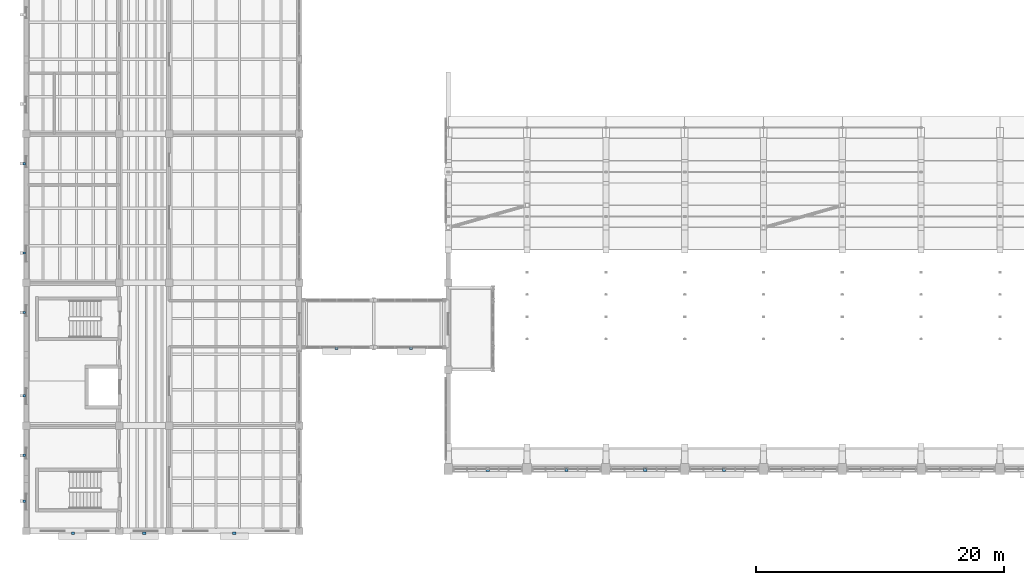
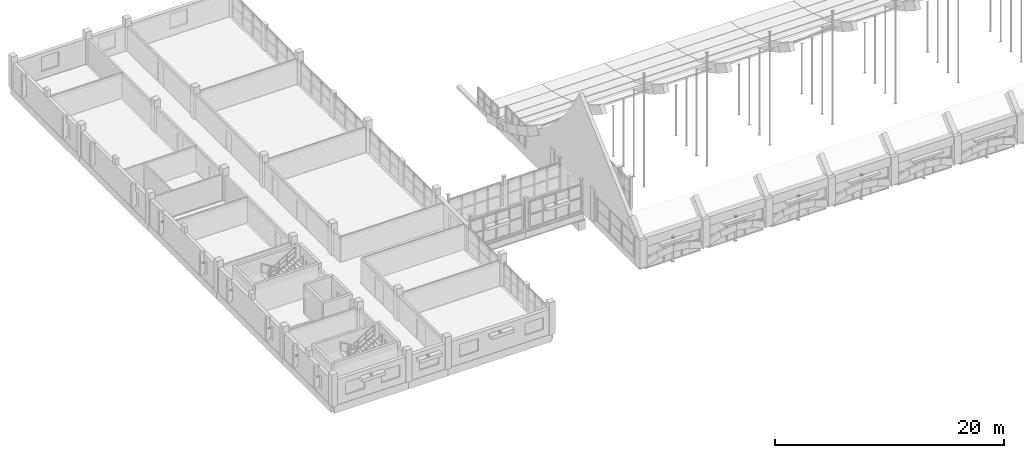
# One storey, part 67 of 77: 15 discrete accessories.
"""IFC4 building model written with IfcOpenShell, lengths in metres."""

import ifcopenshell
import ifcopenshell.guid

model = None  # the IFC model being written
_history = None  # IfcOwnerHistory: only IFC2X3 demands one
_inside = {}  # id of a spatial element -> (the spatial element, [elements in it])
_under = {}  # id of a project, library or spatial element -> (it, [spatial elements below it])
_declared = {}  # id of a project -> (the project, [libraries it declares])
_typed = {}  # id of a type object -> (the type object, [elements of that type])
_made_of = {}  # id of a material, layer set ... -> (it, [elements and type objects made of it])


def new_model(schema):
    """Start an empty IFC model of exactly this schema.

    Asked for "IFC4X3", IfcOpenShell would pick the latest addendum, in which some entities
    have other attributes; the version numbers below select the first issue.
    IFC2X3 requires an IfcOwnerHistory on every rooted entity: one is made here for all.
    """
    global model, _history
    if schema == "IFC4X3":
        model = ifcopenshell.file(schema_version=(4, 3, 0, 0))
    else:
        model = ifcopenshell.file(schema=schema)
    _inside.clear()
    _under.clear()
    _declared.clear()
    _typed.clear()
    _made_of.clear()
    _history = None
    if model.schema == "IFC2X3":
        org = make("IfcOrganization", Name="unknown")
        user = make(
            "IfcPersonAndOrganization",
            ThePerson=make("IfcPerson", FamilyName="unknown"),
            TheOrganization=org,
        )
        app = make(
            "IfcApplication",
            ApplicationDeveloper=org,
            Version="unknown",
            ApplicationFullName="unknown",
            ApplicationIdentifier="unknown",
        )
        _history = make(
            "IfcOwnerHistory",
            OwningUser=user,
            OwningApplication=app,
            ChangeAction="ADDED",
            CreationDate=0,
        )
    return model


def make(cls, **values):
    """One entity of the class cls with the attributes given. An attribute that is None is left unset."""
    return model.create_entity(
        cls, **{name: value for name, value in values.items() if value is not None}
    )


def rooted(cls, **values):
    """An entity with a GlobalId (a new one), such as an element, a storey or a relation."""
    return make(cls, GlobalId=ifcopenshell.guid.new(), OwnerHistory=_history, **values)


def si_unit(unit_type, name, prefix=None):
    """IfcSIUnit, for example si_unit("LENGTHUNIT", "METRE", prefix="MILLI")."""
    return make("IfcSIUnit", UnitType=unit_type, Prefix=prefix, Name=name)


def assignment(units):
    """IfcUnitAssignment: the units of a project."""
    return None if units is None else make("IfcUnitAssignment", Units=units)


def point(xyz):
    """IfcCartesianPoint."""
    return None if xyz is None else make("IfcCartesianPoint", Coordinates=xyz)


def direction(xyz):
    """IfcDirection."""
    return None if xyz is None else make("IfcDirection", DirectionRatios=xyz)


def frame(location, z_axis=None, x_axis=None):
    """IfcAxis2Placement3D, a coordinate frame: its origin and axes. An axis left out is left unset."""
    return make(
        "IfcAxis2Placement3D",
        Location=point(location),
        Axis=direction(z_axis),
        RefDirection=direction(x_axis),
    )


def frame_2d(location, x_axis=None):
    """IfcAxis2Placement2D, a coordinate frame in the plane: its origin and x axis."""
    return make(
        "IfcAxis2Placement2D", Location=point(location), RefDirection=direction(x_axis)
    )


def origin():
    """The frame at (0, 0, 0) with its axes left unset."""
    return frame((0.0, 0.0, 0.0))


def origin_2d():
    """The frame at (0, 0) in the plane with its x axis left unset."""
    return frame_2d((0.0, 0.0))


def place(relative_to, where):
    """IfcLocalPlacement: puts the frame where relative to a parent placement (None: the world)."""
    return make(
        "IfcLocalPlacement", PlacementRelTo=relative_to, RelativePlacement=where
    )


def context(
    kind, dimensions, precision=None, world=None, true_north=None, identifier=None
):
    """IfcGeometricRepresentationContext, for example the 3D "Model" context."""
    return make(
        "IfcGeometricRepresentationContext",
        ContextIdentifier=identifier,
        ContextType=kind,
        CoordinateSpaceDimension=dimensions,
        Precision=precision,
        WorldCoordinateSystem=world,
        TrueNorth=true_north,
    )


def subcontext(parent, identifier, kind, view, scale=None):
    """IfcGeometricRepresentationSubContext, for example "Body" below "Model"."""
    return make(
        "IfcGeometricRepresentationSubContext",
        ContextIdentifier=identifier,
        ContextType=kind,
        ParentContext=parent,
        TargetScale=scale,
        TargetView=view,
    )


def project(units=None, contexts=None):
    """IfcProject with its units and contexts."""
    return rooted(
        "IfcProject",
        Name="project",
        RepresentationContexts=contexts,
        UnitsInContext=assignment(units),
    )


def spatial(cls, under=None, at=None, **own):
    """A site, building, storey or space (cls), placed at a placement, below another one or the project."""
    s = rooted(cls, ObjectPlacement=at, **own)
    if under is not None:
        _under.setdefault(under.id(), (under, []))[1].append(s)
    return s


def profile(cls, at=None, kind="AREA", **sizes):
    """A parametric profile (cls). Its sizes go by their IFC names, for example OverallWidth=200.0."""
    return make(cls, ProfileType=kind, Position=at, **sizes)


def rectangle(**sizes):
    """IfcRectangleProfileDef."""
    return profile("IfcRectangleProfileDef", **sizes)


def extrude(swept, where, along, depth):
    """IfcExtrudedAreaSolid: the profile swept, set in the frame where, extruded along a direction by depth."""
    return make(
        "IfcExtrudedAreaSolid",
        SweptArea=swept,
        Position=where,
        ExtrudedDirection=direction(along),
        Depth=depth,
    )


def shape(context_of_items, identifier, shape_type, items):
    """IfcShapeRepresentation: the items that make up one representation, for example the "Body"."""
    return make(
        "IfcShapeRepresentation",
        ContextOfItems=context_of_items,
        RepresentationIdentifier=identifier,
        RepresentationType=shape_type,
        Items=items,
    )


def material(Name=None, Category=None):
    """IfcMaterial."""
    return make("IfcMaterial", Name=Name, Category=Category)


def made_of(thing, what):
    """Note that an element or type object is made of a material, layer set ...; save() writes the relation."""
    if what is not None:
        _made_of.setdefault(what.id(), (what, []))[1].append(thing)
    return thing


def type_object(cls, material=None, **own):
    """A type object (cls), such as IfcWallType, which elements share."""
    return made_of(rooted(cls, **own), material)


def element(
    cls,
    number,
    at=None,
    inside=None,
    cuts=None,
    type_object=None,
    material=None,
    context=None,
    identifier="Body",
    shape_type=None,
    held_by="IfcProductDefinitionShape",
    body=None,
    shapes=None,
    **own,
):
    """One element of the class cls, such as IfcWall. Its Tag is "e" and its number.

    at: its placement. inside: the storey or other place that contains it. cuts: it is an
    opening in that element (IfcRelVoidsElement). A single representation is given by context,
    identifier, shape_type and body (its items); several are given by shapes. held_by: the class
    of the entity that holds the representations. save() writes the other relations.
    """
    e = rooted(cls, Tag="e%d" % number, ObjectPlacement=at, **own)
    if body is not None:
        shapes = [shape(context, identifier, shape_type, body)]
    if shapes is not None:
        e.Representation = make(held_by, Representations=shapes)
    if inside is not None:
        _inside.setdefault(inside.id(), (inside, []))[1].append(e)
    if cuts is not None:
        rooted(
            "IfcRelVoidsElement", RelatingBuildingElement=cuts, RelatedOpeningElement=e
        )
    if type_object is not None:
        _typed.setdefault(type_object.id(), (type_object, []))[1].append(e)
    return made_of(e, material)


def aggregate(whole, parts):
    """IfcRelAggregates: a whole, such as a stair, and the parts it consists of."""
    return rooted("IfcRelAggregates", RelatingObject=whole, RelatedObjects=parts)


def save(model, path):
    """Write the relations noted so far, then the file.

    IfcRelAggregates (storeys below a building ...), IfcRelContainedInSpatialStructure (elements
    in a storey), IfcRelDefinesByType, IfcRelAssociatesMaterial and IfcRelDeclares: one each for
    every whole, place, type object, material and project.
    """
    for whole, parts in _under.values():
        aggregate(whole, parts)
    for where, things in _inside.values():
        rooted(
            "IfcRelContainedInSpatialStructure",
            RelatedElements=things,
            RelatingStructure=where,
        )
    for kind, things in _typed.values():
        rooted("IfcRelDefinesByType", RelatedObjects=things, RelatingType=kind)
    for what, things in _made_of.values():
        rooted("IfcRelAssociatesMaterial", RelatedObjects=things, RelatingMaterial=what)
    for by, libraries in _declared.values():
        rooted("IfcRelDeclares", RelatingContext=by, RelatedDefinitions=libraries)
    model.write(path)


model = new_model("IFC4")

# Units and contexts
model_context = context("Model", 3, precision=1e-05, world=origin(), true_north=direction((0.0, 1.0)))
body_context = subcontext(model_context, "Body", "Model", "MODEL_VIEW")
ifc_project = project(units=[si_unit("LENGTHUNIT", "METRE"), si_unit("AREAUNIT", "SQUARE_METRE"), si_unit("VOLUMEUNIT", "CUBIC_METRE"), si_unit("PLANEANGLEUNIT", "RADIAN"), si_unit("MASSUNIT", "GRAM", prefix="KILO")], contexts=[model_context])

# Site, building, storey
site_placement = place(None, origin())
site = spatial("IfcSite", under=ifc_project, at=site_placement, CompositionType="ELEMENT")
building_placement = place(site_placement, origin())
building = spatial("IfcBuilding", under=site, at=building_placement, Name="Trellovar Central Fire Station", CompositionType="ELEMENT")
storey_placement = place(building_placement, frame((0.0, 0.0, 5.85009765625)))
storey = spatial("IfcBuildingStorey", under=building, at=storey_placement, Name="L02", CompositionType="ELEMENT", Elevation=5.85009765625)

# Discrete accessories
ifc_material_1 = material(Name="Patina bronze wrought metalwork", Category="metal")
discrete_accessory_type_1 = type_object("IfcDiscreteAccessoryType", Name="ACC-BRK1", PredefinedType="BRACKET", material=ifc_material_1)
for number, where, z_axis, x_axis, name in (
    (1, (38.175048828125, 13.919921875, 1.7998046875), (0.0, 0.0, 1.0), (1.0, 0.0, 0.0), "L02 bronze shade mounting bracket 1"),
    (2, (44.52490234375, 13.919921875, 1.7998046875), (0.0, 0.0, 1.0), (1.0, 0.0, 0.0), "L02 bronze shade mounting bracket 2"),
    (3, (50.875, 13.919921875, 1.7998046875), (0.0, 0.0, 1.0), (1.0, 0.0, 0.0), "L02 bronze shade mounting bracket 3"),
    (4, (57.22509765625, 13.919921875, 1.7998046875), (0.0, 0.0, 1.0), (1.0, 0.0, 0.0), "L02 bronze shade mounting bracket 4"),
    (5, (26.0, 23.719970703125, 1.64990234375), (0.0, 0.0, 1.0), (1.0, 0.0, 0.0), "L02 bronze shade mounting bracket 22"),
    (6, (32.0, 23.719970703125, 1.64990234375), (0.0, 0.0, 1.0), (1.0, 0.0, 0.0), "L02 bronze shade mounting bracket 23"),
    (7, (4.75, 8.820068359375, 1.94970703125), (0.0, 0.0, 1.0), (1.0, 0.0, 0.0), "L02 bronze shade mounting bracket 34"),
    (8, (10.5, 8.820068359375, 1.94970703125), (0.0, 0.0, 1.0), (1.0, 0.0, 0.0), "L02 bronze shade mounting bracket 35"),
    (9, (17.75, 8.820068359375, 1.94970703125), (0.0, 0.0, 1.0), (1.0, 0.0, 0.0), "L02 bronze shade mounting bracket 36"),
):
    element("IfcDiscreteAccessory", number, at=place(storey_placement, frame(where, z_axis=z_axis, x_axis=x_axis)), inside=storey, type_object=discrete_accessory_type_1, Name=name, PredefinedType="BRACKET", context=body_context, shape_type="SweptSolid", body=[
        extrude(rectangle(XDim=0.260009765625, YDim=0.219970703125, at=origin_2d()), origin(), (0.0, 0.0, 1.0), 0.199951171875),
    ])
ifc_material_2 = material(Name="Patina bronze wrought metalwork", Category="metal")
discrete_accessory_type_2 = type_object("IfcDiscreteAccessoryType", Name="ACC-BRK2", PredefinedType="BRACKET", material=ifc_material_2)
for number, where, z_axis, x_axis, name in (
    (10, (0.820068359375, 11.39990234375, 1.56982421875), (0.0, 0.0, 1.0), (1.0, 0.0, 0.0), "L02 bronze shade mounting bracket 37"),
    (11, (0.820068359375, 15.10009765625, 1.56982421875), (0.0, 0.0, 1.0), (1.0, 0.0, 0.0), "L02 bronze shade mounting bracket 38"),
    (12, (0.820068359375, 19.89990234375, 1.56982421875), (0.0, 0.0, 1.0), (1.0, 0.0, 0.0), "L02 bronze shade mounting bracket 39"),
    (13, (0.820068359375, 26.60009765625, 1.56982421875), (0.0, 0.0, 1.0), (1.0, 0.0, 0.0), "L02 bronze shade mounting bracket 40"),
    (14, (0.820068359375, 31.39990234375, 1.56982421875), (0.0, 0.0, 1.0), (1.0, 0.0, 0.0), "L02 bronze shade mounting bracket 41"),
    (15, (0.820068359375, 38.60009765625, 1.56982421875), (0.0, 0.0, 1.0), (1.0, 0.0, 0.0), "L02 bronze shade mounting bracket 42"),
):
    element("IfcDiscreteAccessory", number, at=place(storey_placement, frame(where, z_axis=z_axis, x_axis=x_axis)), inside=storey, type_object=discrete_accessory_type_2, Name=name, PredefinedType="BRACKET", context=body_context, shape_type="SweptSolid", body=[
        extrude(rectangle(XDim=0.199951171875, YDim=0.179931640625, at=origin_2d()), origin(), (0.0, 0.0, 1.0), 0.159912109375),
    ])

save(model, "model.ifc")
